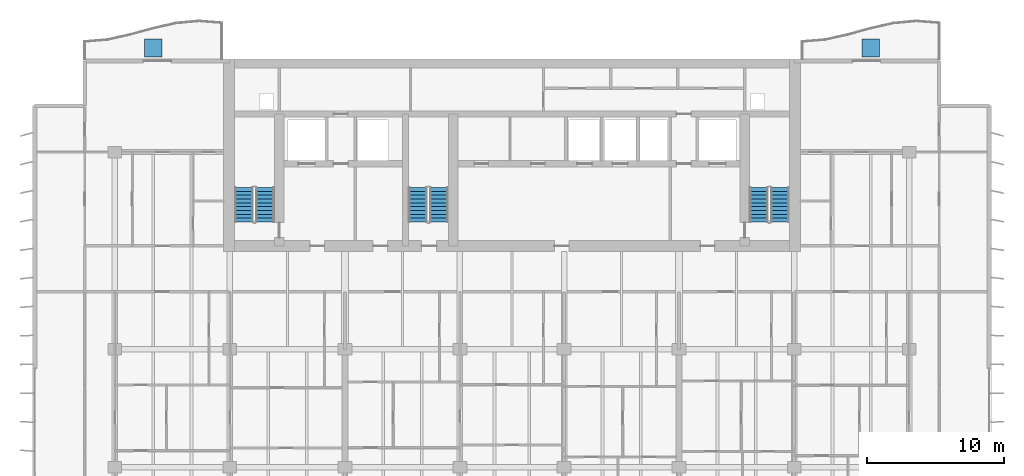
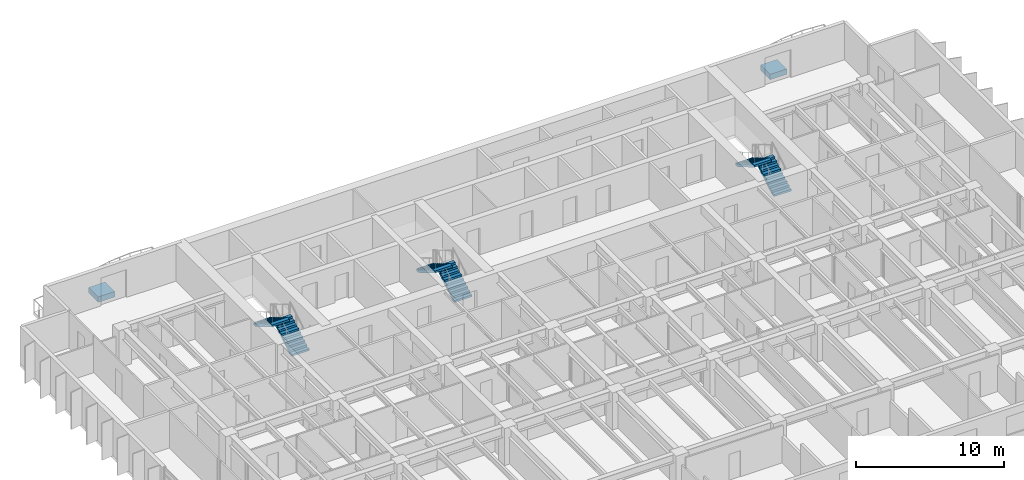
# One storey, part 16 of 20: 6 stair flights, 2 discrete accessories, 3 elements without a shape of their own.
"""IFC4 building model written with IfcOpenShell, lengths in metres."""

from ifc_helpers import new_model, si_unit, direction, frame, origin, origin_2d, place, context, subcontext, project, spatial, polyline, rectangle, outline, extrude, material, type_object, element, aggregate, save


model = new_model("IFC4")

# Units and contexts
model_context = context("Model", 3, precision=1e-05, world=origin(), true_north=direction((0.0, 1.0)))
body_context = subcontext(model_context, "Body", "Model", "MODEL_VIEW")
ifc_project = project(units=[si_unit("LENGTHUNIT", "METRE"), si_unit("AREAUNIT", "SQUARE_METRE"), si_unit("VOLUMEUNIT", "CUBIC_METRE"), si_unit("PLANEANGLEUNIT", "RADIAN"), si_unit("MASSUNIT", "GRAM", prefix="KILO")], contexts=[model_context])

# Site, building, storey
site_placement = place(None, origin())
site = spatial("IfcSite", under=ifc_project, at=site_placement, CompositionType="ELEMENT")
building_placement = place(site_placement, origin())
building = spatial("IfcBuilding", under=site, at=building_placement, Name="Caelmar Bay Residences", CompositionType="ELEMENT")
storey_placement = place(building_placement, frame((0.0, 0.0, 119.10009765625)))
storey = spatial("IfcBuildingStorey", under=building, at=storey_placement, Name="L32", CompositionType="ELEMENT", Elevation=119.10009765625)

# Stair, stair flights
ifc_material_1 = material(Name="Concrete f'c 40 MPa (6,000 psi)", Category="concrete")
stair_type = type_object("IfcStairType", Name="ST-TYP-165", PredefinedType="HALF_TURN_STAIR", material=ifc_material_1)
stair_1_placement = place(storey_placement, origin())
stair_1 = element("IfcStair", 1, at=stair_1_placement, inside=storey, type_object=stair_type, Name="L32 West Smokeproof Exit Stair ST1", PredefinedType="HALF_TURN_STAIR")
stair_flight_type = type_object("IfcStairFlightType", Name="STF-1350", PredefinedType="STRAIGHT", material=ifc_material_1)
stair_flight_1_placement = place(storey_placement, frame((20.875, 38.699951171875, 0.0), z_axis=(0.0, 0.0, 1.0), x_axis=(0.0, 1.0, 0.0)))
stair_flight_1 = element("IfcStairFlight", 2, at=stair_flight_1_placement, type_object=stair_flight_type, Name="ST1 flight 1", NumberOfRisers=10, NumberOfTreads=9, PredefinedType="STRAIGHT", RiserHeight=0.165, TreadLength=0.28, context=body_context, shape_type="SweptSolid", body=[
    extrude(outline(polyline([(0.0, 0.0), (0.0, 0.1650390625), (0.280029296875, 0.1650390625), (0.280029296875, 0.330078125), (0.56005859375, 0.330078125), (0.56005859375, 0.4951171875), (0.840087890625, 0.4951171875), (0.840087890625, 0.659912109375), (1.1201171875, 0.659912109375), (1.1201171875, 0.824951171875), (1.39990234375, 0.824951171875), (1.39990234375, 0.989990234375), (1.679931640625, 0.989990234375), (1.679931640625, 1.155029296875), (1.9599609375, 1.155029296875), (1.9599609375, 1.320068359375), (2.239990234375, 1.320068359375), (2.239990234375, 1.485107421875), (2.52001953125, 1.485107421875), (2.52001953125, 1.64990234375), (2.52001953125, 1.31103515625), (0.295166015625, 0.0), (0.0, 0.0)])), frame((0.0, 0.675048828125, 0.0), z_axis=(0.0, -1.0, 0.0), x_axis=(1.0, 0.0, 0.0)), (0.0, 0.0, 1.0), 1.35009765625),
])
stair_flight_2_placement = place(storey_placement, frame((19.324951171875, 41.219970703125, 1.64990234375), z_axis=(0.0, 0.0, 1.0), x_axis=(0.0, -1.0, 0.0)))
stair_flight_2 = element("IfcStairFlight", 3, at=stair_flight_2_placement, type_object=stair_flight_type, Name="ST1 flight 2", NumberOfRisers=10, NumberOfTreads=9, PredefinedType="STRAIGHT", RiserHeight=0.165, TreadLength=0.28, context=body_context, shape_type="SweptSolid", body=[
    extrude(outline(polyline([(0.0, 0.0), (0.0, 0.1650390625), (0.280029296875, 0.1650390625), (0.280029296875, 0.330078125), (0.56005859375, 0.330078125), (0.56005859375, 0.4951171875), (0.840087890625, 0.4951171875), (0.840087890625, 0.659912109375), (1.1201171875, 0.659912109375), (1.1201171875, 0.824951171875), (1.39990234375, 0.824951171875), (1.39990234375, 0.989990234375), (1.679931640625, 0.989990234375), (1.679931640625, 1.155029296875), (1.9599609375, 1.155029296875), (1.9599609375, 1.320068359375), (2.239990234375, 1.320068359375), (2.239990234375, 1.485107421875), (2.52001953125, 1.485107421875), (2.52001953125, 1.64990234375), (2.52001953125, 1.31103515625), (0.295166015625, 0.0), (0.0, 0.0)])), frame((0.0, 0.675048828125, 0.0), z_axis=(0.0, -1.0, 0.0), x_axis=(1.0, 0.0, 0.0)), (0.0, 0.0, 1.0), 1.35009765625),
])
aggregate(stair_1, [stair_flight_1, stair_flight_2])

stair_2_placement = place(storey_placement, origin())
stair_2 = element("IfcStair", 4, at=stair_2_placement, inside=storey, type_object=stair_type, Name="L32 East Smokeproof Exit Stair ST2", PredefinedType="HALF_TURN_STAIR")
stair_flight_3_placement = place(storey_placement, frame((58.47509765625, 38.699951171875, 0.0), z_axis=(0.0, 0.0, 1.0), x_axis=(0.0, 1.0, 0.0)))
stair_flight_3 = element("IfcStairFlight", 5, at=stair_flight_3_placement, type_object=stair_flight_type, Name="ST2 flight 1", NumberOfRisers=10, NumberOfTreads=9, PredefinedType="STRAIGHT", RiserHeight=0.165, TreadLength=0.28, context=body_context, shape_type="SweptSolid", body=[
    extrude(outline(polyline([(0.0, 0.0), (0.0, 0.1650390625), (0.280029296875, 0.1650390625), (0.280029296875, 0.330078125), (0.56005859375, 0.330078125), (0.56005859375, 0.4951171875), (0.840087890625, 0.4951171875), (0.840087890625, 0.659912109375), (1.1201171875, 0.659912109375), (1.1201171875, 0.824951171875), (1.39990234375, 0.824951171875), (1.39990234375, 0.989990234375), (1.679931640625, 0.989990234375), (1.679931640625, 1.155029296875), (1.9599609375, 1.155029296875), (1.9599609375, 1.320068359375), (2.239990234375, 1.320068359375), (2.239990234375, 1.485107421875), (2.52001953125, 1.485107421875), (2.52001953125, 1.64990234375), (2.52001953125, 1.31103515625), (0.295166015625, 0.0), (0.0, 0.0)])), frame((0.0, 0.675048828125, 0.0), z_axis=(0.0, -1.0, 0.0), x_axis=(1.0, 0.0, 0.0)), (0.0, 0.0, 1.0), 1.35009765625),
])
stair_flight_4_placement = place(storey_placement, frame((56.925048828125, 41.219970703125, 1.64990234375), z_axis=(0.0, 0.0, 1.0), x_axis=(0.0, -1.0, 0.0)))
stair_flight_4 = element("IfcStairFlight", 6, at=stair_flight_4_placement, type_object=stair_flight_type, Name="ST2 flight 2", NumberOfRisers=10, NumberOfTreads=9, PredefinedType="STRAIGHT", RiserHeight=0.165, TreadLength=0.28, context=body_context, shape_type="SweptSolid", body=[
    extrude(outline(polyline([(0.0, 0.0), (0.0, 0.1650390625), (0.280029296875, 0.1650390625), (0.280029296875, 0.330078125), (0.56005859375, 0.330078125), (0.56005859375, 0.4951171875), (0.840087890625, 0.4951171875), (0.840087890625, 0.659912109375), (1.1201171875, 0.659912109375), (1.1201171875, 0.824951171875), (1.39990234375, 0.824951171875), (1.39990234375, 0.989990234375), (1.679931640625, 0.989990234375), (1.679931640625, 1.155029296875), (1.9599609375, 1.155029296875), (1.9599609375, 1.320068359375), (2.239990234375, 1.320068359375), (2.239990234375, 1.485107421875), (2.52001953125, 1.485107421875), (2.52001953125, 1.64990234375), (2.52001953125, 1.31103515625), (0.295166015625, 0.0), (0.0, 0.0)])), frame((0.0, 0.675048828125, 0.0), z_axis=(0.0, -1.0, 0.0), x_axis=(1.0, 0.0, 0.0)), (0.0, 0.0, 1.0), 1.35009765625),
])
aggregate(stair_2, [stair_flight_3, stair_flight_4])

stair_3_placement = place(storey_placement, origin())
stair_3 = element("IfcStair", 7, at=stair_3_placement, inside=storey, type_object=stair_type, Name="L32 Central Smokeproof Exit Stair ST3", PredefinedType="HALF_TURN_STAIR")
stair_flight_5_placement = place(storey_placement, frame((33.574951171875, 38.699951171875, 0.0), z_axis=(0.0, 0.0, 1.0), x_axis=(0.0, 1.0, 0.0)))
stair_flight_5 = element("IfcStairFlight", 8, at=stair_flight_5_placement, type_object=stair_flight_type, Name="ST3 flight 1", NumberOfRisers=10, NumberOfTreads=9, PredefinedType="STRAIGHT", RiserHeight=0.165, TreadLength=0.28, context=body_context, shape_type="SweptSolid", body=[
    extrude(outline(polyline([(0.0, 0.0), (0.0, 0.1650390625), (0.280029296875, 0.1650390625), (0.280029296875, 0.330078125), (0.56005859375, 0.330078125), (0.56005859375, 0.4951171875), (0.840087890625, 0.4951171875), (0.840087890625, 0.659912109375), (1.1201171875, 0.659912109375), (1.1201171875, 0.824951171875), (1.39990234375, 0.824951171875), (1.39990234375, 0.989990234375), (1.679931640625, 0.989990234375), (1.679931640625, 1.155029296875), (1.9599609375, 1.155029296875), (1.9599609375, 1.320068359375), (2.239990234375, 1.320068359375), (2.239990234375, 1.485107421875), (2.52001953125, 1.485107421875), (2.52001953125, 1.64990234375), (2.52001953125, 1.31103515625), (0.295166015625, 0.0), (0.0, 0.0)])), frame((0.0, 0.675048828125, 0.0), z_axis=(0.0, -1.0, 0.0), x_axis=(1.0, 0.0, 0.0)), (0.0, 0.0, 1.0), 1.35009765625),
])
stair_flight_6_placement = place(storey_placement, frame((32.02490234375, 41.219970703125, 1.64990234375), z_axis=(0.0, 0.0, 1.0), x_axis=(0.0, -1.0, 0.0)))
stair_flight_6 = element("IfcStairFlight", 9, at=stair_flight_6_placement, type_object=stair_flight_type, Name="ST3 flight 2", NumberOfRisers=10, NumberOfTreads=9, PredefinedType="STRAIGHT", RiserHeight=0.165, TreadLength=0.28, context=body_context, shape_type="SweptSolid", body=[
    extrude(outline(polyline([(0.0, 0.0), (0.0, 0.1650390625), (0.280029296875, 0.1650390625), (0.280029296875, 0.330078125), (0.56005859375, 0.330078125), (0.56005859375, 0.4951171875), (0.840087890625, 0.4951171875), (0.840087890625, 0.659912109375), (1.1201171875, 0.659912109375), (1.1201171875, 0.824951171875), (1.39990234375, 0.824951171875), (1.39990234375, 0.989990234375), (1.679931640625, 0.989990234375), (1.679931640625, 1.155029296875), (1.9599609375, 1.155029296875), (1.9599609375, 1.320068359375), (2.239990234375, 1.320068359375), (2.239990234375, 1.485107421875), (2.52001953125, 1.485107421875), (2.52001953125, 1.64990234375), (2.52001953125, 1.31103515625), (0.295166015625, 0.0), (0.0, 0.0)])), frame((0.0, 0.675048828125, 0.0), z_axis=(0.0, -1.0, 0.0), x_axis=(1.0, 0.0, 0.0)), (0.0, 0.0, 1.0), 1.35009765625),
])
aggregate(stair_3, [stair_flight_5, stair_flight_6])

# Discrete accessories
ifc_material_2 = material(Name="Precast concrete f'c 40 MPa (6,000 psi)", Category="concrete")
discrete_accessory_type = type_object("IfcDiscreteAccessoryType", Name="STR-PLANTER-KERB-450", PredefinedType="USERDEFINED", material=ifc_material_2)
for number, where, z_axis, x_axis, name in (
    (10, (12.699951171875, 51.39990234375, 0.0), (0.0, 0.0, 1.0), (1.0, 0.0, 0.0), "L32 north_west Structural Tree Planter Kerb"),
    (11, (65.10009765625, 51.39990234375, 0.0), (0.0, 0.0, 1.0), (1.0, 0.0, 0.0), "L32 north_east Structural Tree Planter Kerb"),
):
    element("IfcDiscreteAccessory", number, at=place(storey_placement, frame(where, z_axis=z_axis, x_axis=x_axis)), inside=storey, type_object=discrete_accessory_type, Name=name, ObjectType="PLANTER", PredefinedType="USERDEFINED", context=body_context, shape_type="SweptSolid", body=[
        extrude(rectangle(XDim=1.300048828125, YDim=1.300048828125, at=origin_2d()), origin(), (0.0, 0.0, 1.0), 0.449951171875),
    ])

save(model, "model.ifc")
